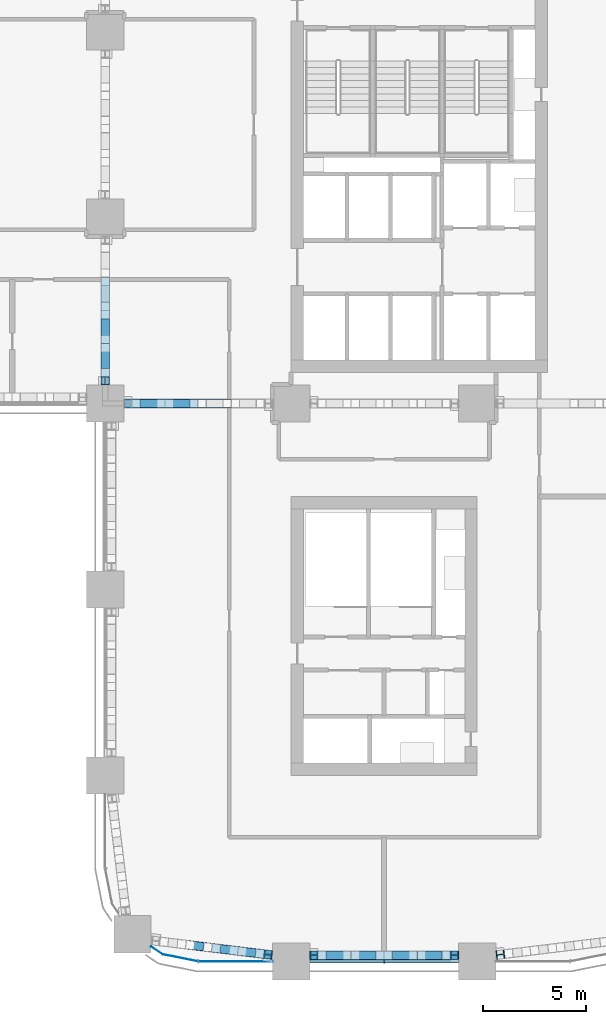
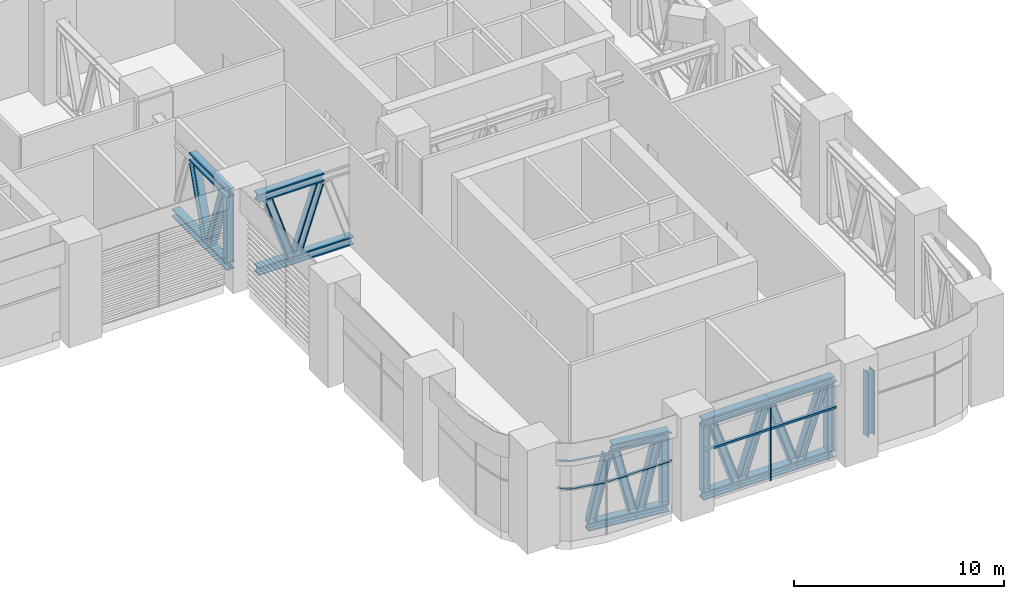
# One storey, part 4 of 24: 35 members, 2 elements without a shape of their own.
"""IFC4 building model written with IfcOpenShell, lengths in metres."""

from ifc_helpers import new_model, si_unit, direction, frame, origin, origin_2d, place, context, subcontext, project, spatial, polyline, rectangle, i_section, outline, extrude, material, material_profile, profile_set, type_object, element, aggregate, save


model = new_model("IFC4")

# Units and contexts
model_context = context("Model", 3, precision=1e-05, world=origin(), true_north=direction((0.0, 1.0)))
body_context = subcontext(model_context, "Body", "Model", "MODEL_VIEW")
ifc_project = project(units=[si_unit("LENGTHUNIT", "METRE"), si_unit("AREAUNIT", "SQUARE_METRE"), si_unit("VOLUMEUNIT", "CUBIC_METRE"), si_unit("PLANEANGLEUNIT", "RADIAN"), si_unit("MASSUNIT", "GRAM", prefix="KILO")], contexts=[model_context])

# Site, building, storey
site_placement = place(None, origin())
site = spatial("IfcSite", under=ifc_project, at=site_placement, CompositionType="ELEMENT")
building_placement = place(site_placement, origin())
building = spatial("IfcBuilding", under=site, at=building_placement, Name="Tessera Arch", CompositionType="ELEMENT")
storey_placement = place(building_placement, frame((0.0, 0.0, 123.39990234375)))
storey = spatial("IfcBuildingStorey", under=building, at=storey_placement, Name="L29", CompositionType="ELEMENT", Elevation=123.39990234375)

# Curtain wall, member
ifc_material_1 = material(Name="CW7 curtain wall")
curtain_wall_type = type_object("IfcCurtainWallType", Name="CW7 curtain wall", PredefinedType="NOTDEFINED", material=ifc_material_1)
curtain_wall_1_placement = place(storey_placement, origin())
curtain_wall_1 = element("IfcCurtainWall", 1, at=curtain_wall_1_placement, inside=storey, type_object=curtain_wall_type, Name="CW7 curtain wall S0.27/1 L29", PredefinedType="NOTDEFINED")
ifc_material_2 = material(Name="Anodised aluminium pale metal", Category="aluminium")
ifc_material_profile_1 = material_profile(ifc_material_2, rectangle(XDim=0.159912109375, YDim=0.06005859375, at=origin_2d()), Name="AL 60x160")
ifc_profile_set_1 = profile_set([ifc_material_profile_1], Name="Anodised aluminium pale metal")
member_type_1 = type_object("IfcMemberType", Name="CW7 mullion", PredefinedType="MULLION", material=ifc_profile_set_1)
member_1_placement = place(storey_placement, frame((40.5, 0.0, 0.0), z_axis=(0.0, 0.0, 1.0), x_axis=(0.0, 1.0, 0.0)))
member_1 = element("IfcMember", 2, at=member_1_placement, type_object=member_type_1, Name="CW7 mullion S0.27/1 1", PredefinedType="MULLION", context=body_context, shape_type="SweptSolid", body=[
    extrude(rectangle(XDim=0.159912109375, YDim=0.06005859375, at=origin_2d()), origin(), (0.0, 0.0, 1.0), 4.47021484375),
])

# Curtain wall, members
curtain_wall_2_placement = place(storey_placement, origin())
curtain_wall_2 = element("IfcCurtainWall", 3, at=curtain_wall_2_placement, inside=storey, type_object=curtain_wall_type, Name="CW7 curtain wall S0.27/0 L29", PredefinedType="NOTDEFINED")
ifc_material_3 = material(Name="Anodised aluminium pale metal", Category="aluminium")
ifc_material_profile_2 = material_profile(ifc_material_3, rectangle(XDim=0.159912109375, YDim=0.1201171875, at=origin_2d()), Name="AL 160x120")
ifc_profile_set_2 = profile_set([ifc_material_profile_2], Name="Anodised aluminium pale metal")
member_type_2 = type_object("IfcMemberType", Name="CW7 transom", PredefinedType="USERDEFINED", material=ifc_profile_set_2)
member_2_placement = place(storey_placement, frame((0.0, 0.0, 3.0)))
member_2 = element("IfcMember", 4, at=member_2_placement, type_object=member_type_2, Name="CW7 transom S0.27/0 1", ObjectType="TRANSOM", PredefinedType="USERDEFINED", context=body_context, shape_type="SweptSolid", body=[
    extrude(outline(polyline([(29.78173828125, 0.351806640625), (29.2236328125, 0.72509765625), (29.21240234375, 0.70849609375), (29.77392578125, 0.3330078125), (31.4990234375, -0.010009765625), (35.10009765625, -0.010009765625), (35.10009765625, 0.010009765625), (31.5009765625, 0.010009765625), (29.78173828125, 0.351806640625)])), origin(), (0.0, 0.0, 1.0), 0.1201171875),
])
member_3_placement = place(storey_placement, frame((0.0, 0.0, 4.580078125)))
member_3 = element("IfcMember", 5, at=member_3_placement, type_object=member_type_2, Name="CW7 transom S0.27/0 2", ObjectType="TRANSOM", PredefinedType="USERDEFINED", context=body_context, shape_type="SweptSolid", body=[
    extrude(outline(polyline([(29.78173828125, 0.351806640625), (29.2236328125, 0.72509765625), (29.21240234375, 0.70849609375), (29.77392578125, 0.3330078125), (31.4990234375, -0.010009765625), (35.10009765625, -0.010009765625), (35.10009765625, 0.010009765625), (31.5009765625, 0.010009765625), (29.78173828125, 0.351806640625)])), origin(), (0.0, 0.0, 1.0), 0.1201171875),
])
aggregate(curtain_wall_2, [member_2, member_3])

# Member
member_4_placement = place(storey_placement, frame((36.89990234375, 0.0, 4.530029296875), z_axis=(1.0, 0.0, 0.0), x_axis=(0.0, 1.0, 0.0)))
member_4 = element("IfcMember", 6, at=member_4_placement, type_object=member_type_2, Name="CW7 transom S0.27/1 1.1", ObjectType="TRANSOM", PredefinedType="USERDEFINED", context=body_context, shape_type="SweptSolid", body=[
    extrude(rectangle(XDim=0.159912109375, YDim=0.1201171875, at=origin_2d()), origin(), (0.0, 0.0, 1.0), 7.2001953125),
])

member_5_placement = place(storey_placement, frame((36.89990234375, 0.0, 3.0), z_axis=(1.0, 0.0, 0.0), x_axis=(0.0, 1.0, 0.0)))
member_5 = element("IfcMember", 7, at=member_5_placement, type_object=member_type_2, Name="CW7 transom S0.27/1 2.1", ObjectType="TRANSOM", PredefinedType="USERDEFINED", context=body_context, shape_type="SweptSolid", body=[
    extrude(rectangle(XDim=0.159912109375, YDim=0.1201171875, at=origin_2d()), origin(), (0.0, 0.0, 1.0), 7.2001953125),
])

aggregate(curtain_wall_1, [member_1, member_4, member_5])

# Members
ifc_material_4 = material(Name="Steel A992 Gr50", Category="steel")
ifc_material_profile_3 = material_profile(ifc_material_4, i_section(OverallWidth=0.424072265625, OverallDepth=0.47412109375, WebThickness=0.047607421875, FlangeThickness=0.0771484375, at=origin_2d()), Name="W14x426")
ifc_profile_set_3 = profile_set([ifc_material_profile_3], Name="Steel A992 Gr50")
member_type_3 = type_object("IfcMemberType", Name="Truss chord W14x426", PredefinedType="CHORD", material=ifc_profile_set_3)
member_6_placement = place(storey_placement, frame((32.164306640625, 0.659912109375, 4.462890625), z_axis=(0.992662465055, -0.120918280139, 0.0), x_axis=(0.120918280139, 0.992662465055, 0.0)))
element("IfcMember", 8, at=member_6_placement, inside=storey, type_object=member_type_3, Name="Belt truss top chord 2", PredefinedType="CHORD", context=body_context, shape_type="SweptSolid", body=[
    extrude(i_section(OverallWidth=0.424072265625, OverallDepth=0.47412109375, WebThickness=0.047607421875, FlangeThickness=0.0771484375, at=origin_2d()), origin(), (0.0, 0.0, 1.0), 2.931640625),
])
member_7_placement = place(storey_placement, frame((30.90478515625, 0.8134765625, 0.2373046875), z_axis=(0.992650669676, -0.121015073404, 0.0), x_axis=(0.121015073404, 0.992650669676, 0.0)))
element("IfcMember", 9, at=member_7_placement, inside=storey, type_object=member_type_3, Name="Belt truss bottom chord 2", PredefinedType="CHORD", context=body_context, shape_type="SweptSolid", body=[
    extrude(i_section(OverallWidth=0.424072265625, OverallDepth=0.47412109375, WebThickness=0.047607421875, FlangeThickness=0.0771484375, at=origin_2d()), origin(), (0.0, 0.0, 1.0), 2.537841796875),
])
member_8_placement = place(storey_placement, frame((33.424072265625, 0.50634765625, 0.2373046875), z_axis=(0.992670388674, -0.120853214479, 0.0), x_axis=(0.120853214479, 0.992670388674, 0.0)))
element("IfcMember", 10, at=member_8_placement, inside=storey, type_object=member_type_3, Name="Belt truss bottom chord 3", PredefinedType="CHORD", context=body_context, shape_type="SweptSolid", body=[
    extrude(i_section(OverallWidth=0.424072265625, OverallDepth=0.47412109375, WebThickness=0.047607421875, FlangeThickness=0.0771484375, at=origin_2d()), origin(), (0.0, 0.0, 1.0), 1.66259765625),
])
for number, where, z_axis, x_axis, name in (
    (11, (36.89990234375, 0.300048828125, 4.462890625), (1.0, 0.0, 0.0), (0.0, 1.0, 0.0), "Belt truss top chord 1"),
    (12, (40.5, 0.300048828125, 4.462890625), (1.0, 0.0, 0.0), (0.0, 1.0, 0.0), "Belt truss top chord 2"),
):
    element("IfcMember", number, at=place(storey_placement, frame(where, z_axis=z_axis, x_axis=x_axis)), inside=storey, type_object=member_type_3, Name=name, PredefinedType="CHORD", context=body_context, shape_type="SweptSolid", body=[
        extrude(i_section(OverallWidth=0.424072265625, OverallDepth=0.47412109375, WebThickness=0.047607421875, FlangeThickness=0.0771484375, at=origin_2d()), origin(), (0.0, 0.0, 1.0), 3.60009765625),
    ])
member_9_placement = place(storey_placement, frame((36.89990234375, 0.300048828125, 0.2373046875), z_axis=(1.0, 0.0, 0.0), x_axis=(0.0, 1.0, 0.0)))
element("IfcMember", 13, at=member_9_placement, inside=storey, type_object=member_type_3, Name="Belt truss bottom chord 1", PredefinedType="CHORD", context=body_context, shape_type="SweptSolid", body=[
    extrude(i_section(OverallWidth=0.424072265625, OverallDepth=0.47412109375, WebThickness=0.047607421875, FlangeThickness=0.0771484375, at=origin_2d()), origin(), (0.0, 0.0, 1.0), 1.996826171875),
])
member_10_placement = place(storey_placement, frame((38.896728515625, 0.300048828125, 0.2373046875), z_axis=(1.0, 0.0, 0.0), x_axis=(0.0, 1.0, 0.0)))
element("IfcMember", 14, at=member_10_placement, inside=storey, type_object=member_type_3, Name="Belt truss bottom chord 2", PredefinedType="CHORD", context=body_context, shape_type="SweptSolid", body=[
    extrude(i_section(OverallWidth=0.424072265625, OverallDepth=0.47412109375, WebThickness=0.047607421875, FlangeThickness=0.0771484375, at=origin_2d()), origin(), (0.0, 0.0, 1.0), 3.20654296875),
])
member_11_placement = place(storey_placement, frame((42.103271484375, 0.300048828125, 0.2373046875), z_axis=(1.0, 0.0, 0.0), x_axis=(0.0, 1.0, 0.0)))
element("IfcMember", 15, at=member_11_placement, inside=storey, type_object=member_type_3, Name="Belt truss bottom chord 3", PredefinedType="CHORD", context=body_context, shape_type="SweptSolid", body=[
    extrude(i_section(OverallWidth=0.424072265625, OverallDepth=0.47412109375, WebThickness=0.047607421875, FlangeThickness=0.0771484375, at=origin_2d()), origin(), (0.0, 0.0, 1.0), 1.996826171875),
])
member_12_placement = place(storey_placement, frame((27.0, 27.900146484375, 4.462890625), z_axis=(0.0, 1.0, 0.0), x_axis=(-1.0, 0.0, 0.0)))
element("IfcMember", 16, at=member_12_placement, inside=storey, type_object=member_type_3, Name="Belt truss top chord 1", PredefinedType="CHORD", context=body_context, shape_type="SweptSolid", body=[
    extrude(i_section(OverallWidth=0.424072265625, OverallDepth=0.47412109375, WebThickness=0.047607421875, FlangeThickness=0.0771484375, at=origin_2d()), origin(), (0.0, 0.0, 1.0), 3.599853515625),
])
member_13_placement = place(storey_placement, frame((27.0, 27.900146484375, 0.2373046875), z_axis=(0.0, 1.0, 0.0), x_axis=(-1.0, 0.0, 0.0)))
element("IfcMember", 17, at=member_13_placement, inside=storey, type_object=member_type_3, Name="Belt truss bottom chord 1", PredefinedType="CHORD", context=body_context, shape_type="SweptSolid", body=[
    extrude(i_section(OverallWidth=0.424072265625, OverallDepth=0.47412109375, WebThickness=0.047607421875, FlangeThickness=0.0771484375, at=origin_2d()), origin(), (0.0, 0.0, 1.0), 1.996826171875),
])
member_14_placement = place(storey_placement, frame((27.0, 29.89697265625, 0.2373046875), z_axis=(0.0, 1.0, 0.0), x_axis=(-1.0, 0.0, 0.0)))
element("IfcMember", 18, at=member_14_placement, inside=storey, type_object=member_type_3, Name="Belt truss bottom chord 2", PredefinedType="CHORD", context=body_context, shape_type="SweptSolid", body=[
    extrude(i_section(OverallWidth=0.424072265625, OverallDepth=0.47412109375, WebThickness=0.047607421875, FlangeThickness=0.0771484375, at=origin_2d()), origin(), (0.0, 0.0, 1.0), 3.2060546875),
])
member_15_placement = place(storey_placement, frame((27.900146484375, 27.0, 4.462890625), z_axis=(1.0, 0.0, 0.0), x_axis=(0.0, 1.0, 0.0)))
element("IfcMember", 19, at=member_15_placement, inside=storey, type_object=member_type_3, Name="Belt truss top chord 1", PredefinedType="CHORD", context=body_context, shape_type="SweptSolid", body=[
    extrude(i_section(OverallWidth=0.424072265625, OverallDepth=0.47412109375, WebThickness=0.047607421875, FlangeThickness=0.0771484375, at=origin_2d()), origin(), (0.0, 0.0, 1.0), 3.599853515625),
])
member_16_placement = place(storey_placement, frame((27.900146484375, 27.0, 0.2373046875), z_axis=(1.0, 0.0, 0.0), x_axis=(0.0, 1.0, 0.0)))
element("IfcMember", 20, at=member_16_placement, inside=storey, type_object=member_type_3, Name="Belt truss bottom chord 1", PredefinedType="CHORD", context=body_context, shape_type="SweptSolid", body=[
    extrude(i_section(OverallWidth=0.424072265625, OverallDepth=0.47412109375, WebThickness=0.047607421875, FlangeThickness=0.0771484375, at=origin_2d()), origin(), (0.0, 0.0, 1.0), 1.996826171875),
])
member_17_placement = place(storey_placement, frame((29.89697265625, 27.0, 0.2373046875), z_axis=(1.0, 0.0, 0.0), x_axis=(0.0, 1.0, 0.0)))
element("IfcMember", 21, at=member_17_placement, inside=storey, type_object=member_type_3, Name="Belt truss bottom chord 2", PredefinedType="CHORD", context=body_context, shape_type="SweptSolid", body=[
    extrude(i_section(OverallWidth=0.424072265625, OverallDepth=0.47412109375, WebThickness=0.047607421875, FlangeThickness=0.0771484375, at=origin_2d()), origin(), (0.0, 0.0, 1.0), 3.2060546875),
])
ifc_material_5 = material(Name="Steel A992 Gr50", Category="steel")
ifc_material_profile_4 = material_profile(ifc_material_5, i_section(OverallWidth=0.406494140625, OverallDepth=0.41650390625, WebThickness=0.030029296875, FlangeThickness=0.048095703125, at=origin_2d()), Name="W14x257")
ifc_profile_set_4 = profile_set([ifc_material_profile_4], Name="Steel A992 Gr50")
member_type_4 = type_object("IfcMemberType", Name="Truss diagonal W14x257", PredefinedType="BRACE", material=ifc_profile_set_4)
for number, where, z_axis, x_axis, name in (
    (22, (31.110107421875, 0.788330078125, 0.539794921875), (0.228178784129, -0.027825080377, 0.973221561298), (0.121047514191, 0.992646714248, 0.0), "Belt truss diagonal 2"),
    (23, (32.36962890625, 0.635009765625, 4.160400390625), (0.228240991109, -0.027824663666, -0.973206986242), (0.121013220166, 0.992650895605, 0.0), "Belt truss diagonal 3"),
    (24, (33.62939453125, 0.4814453125, 0.539794921875), (0.228178784129, -0.027825080377, 0.973221561298), (0.121047514191, 0.992646714248, 0.0), "Belt truss diagonal 4"),
):
    element("IfcMember", number, at=place(storey_placement, frame(where, z_axis=z_axis, x_axis=x_axis)), inside=storey, type_object=member_type_4, Name=name, PredefinedType="BRACE", context=body_context, shape_type="SweptSolid", body=[
        extrude(i_section(OverallWidth=0.406494140625, OverallDepth=0.41650390625, WebThickness=0.030029296875, FlangeThickness=0.048095703125, at=origin_2d()), origin(), (0.0, 0.0, 1.0), 3.72021484375),
    ])
for number, where, z_axis, x_axis, name in (
    (25, (37.4970703125, 0.300048828125, 4.142822265625), (0.316557157585, 0.0, -0.948573437316), (0.0, 1.0, 0.0), "Belt truss diagonal 1"),
    (26, (39.10009765625, 0.300048828125, 0.557373046875), (0.316557157585, 0.0, 0.948573437316), (0.0, 1.0, 0.0), "Belt truss diagonal 2"),
    (27, (40.703369140625, 0.300048828125, 4.142822265625), (0.316557157585, 0.0, -0.948573437316), (0.0, 1.0, 0.0), "Belt truss diagonal 3"),
    (28, (42.306396484375, 0.300048828125, 0.557373046875), (0.316557157585, 0.0, 0.948573437316), (0.0, 1.0, 0.0), "Belt truss diagonal 4"),
    (29, (27.0, 28.4970703125, 4.142822265625), (0.0, 0.316557157585, -0.948573437316), (-1.0, 0.0, 0.0), "Belt truss diagonal 1"),
    (30, (27.0, 30.10009765625, 0.557373046875), (0.0, 0.316557157585, 0.948573437316), (-1.0, 0.0, 0.0), "Belt truss diagonal 2"),
    (31, (28.4970703125, 27.0, 4.142822265625), (0.316557157585, 0.0, -0.948573437316), (0.0, 1.0, 0.0), "Belt truss diagonal 1"),
    (32, (30.10009765625, 27.0, 0.557373046875), (0.316557157585, 0.0, 0.948573437316), (0.0, 1.0, 0.0), "Belt truss diagonal 2"),
):
    element("IfcMember", number, at=place(storey_placement, frame(where, z_axis=z_axis, x_axis=x_axis)), inside=storey, type_object=member_type_4, Name=name, PredefinedType="BRACE", context=body_context, shape_type="SweptSolid", body=[
        extrude(i_section(OverallWidth=0.406494140625, OverallDepth=0.41650390625, WebThickness=0.030029296875, FlangeThickness=0.048095703125, at=origin_2d()), origin(), (0.0, 0.0, 1.0), 3.77978515625),
    ])
ifc_material_6 = material(Name="Steel A992 Gr50", Category="steel")
ifc_material_profile_5 = material_profile(ifc_material_6, i_section(OverallWidth=0.398681640625, OverallDepth=0.393798828125, WebThickness=0.022705078125, FlangeThickness=0.03662109375, at=origin_2d()), Name="W14x193")
ifc_profile_set_5 = profile_set([ifc_material_profile_5], Name="Steel A992 Gr50")
member_type_5 = type_object("IfcMemberType", Name="Truss post W14x193", PredefinedType="POST", material=ifc_profile_set_5)
for number, where, z_axis, x_axis, name in (
    (33, (34.87890625, 0.3291015625, 0.474365234375), (0.0, 0.0, 1.0), (0.120951762202, 0.992658385962, 0.0), "Belt truss end post 2"),
    (34, (37.096923828125, 0.300048828125, 0.474365234375), (0.0, 0.0, 1.0), (0.0, 1.0, 0.0), "Belt truss end post 1"),
    (35, (43.903076171875, 0.300048828125, 0.474365234375), (0.0, 0.0, 1.0), (0.0, 1.0, 0.0), "Belt truss end post 2"),
    (36, (46.12109375, 0.3291015625, 0.474365234375), (0.0, 0.0, 1.0), (-0.120951762202, 0.992658385962, 0.0), "Belt truss end post 1"),
    (37, (27.0, 28.096923828125, 0.474365234375), (0.0, 0.0, 1.0), (1.0, 0.0, 0.0), "Belt truss end post 1"),
):
    element("IfcMember", number, at=place(storey_placement, frame(where, z_axis=z_axis, x_axis=x_axis)), inside=storey, type_object=member_type_5, Name=name, PredefinedType="POST", context=body_context, shape_type="SweptSolid", body=[
        extrude(i_section(OverallWidth=0.398681640625, OverallDepth=0.393798828125, WebThickness=0.022705078125, FlangeThickness=0.03662109375, at=origin_2d()), origin(), (0.0, 0.0, 1.0), 3.75146484375),
    ])

save(model, "model.ifc")
